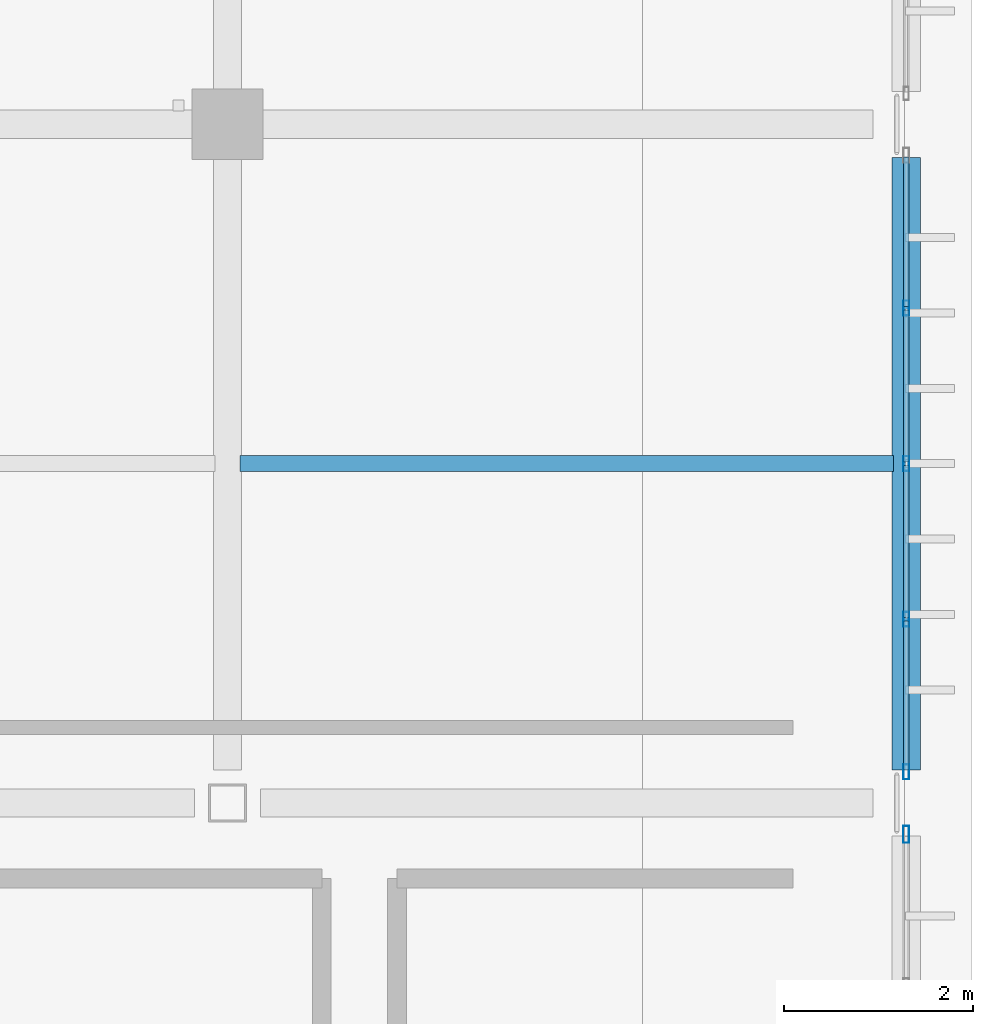
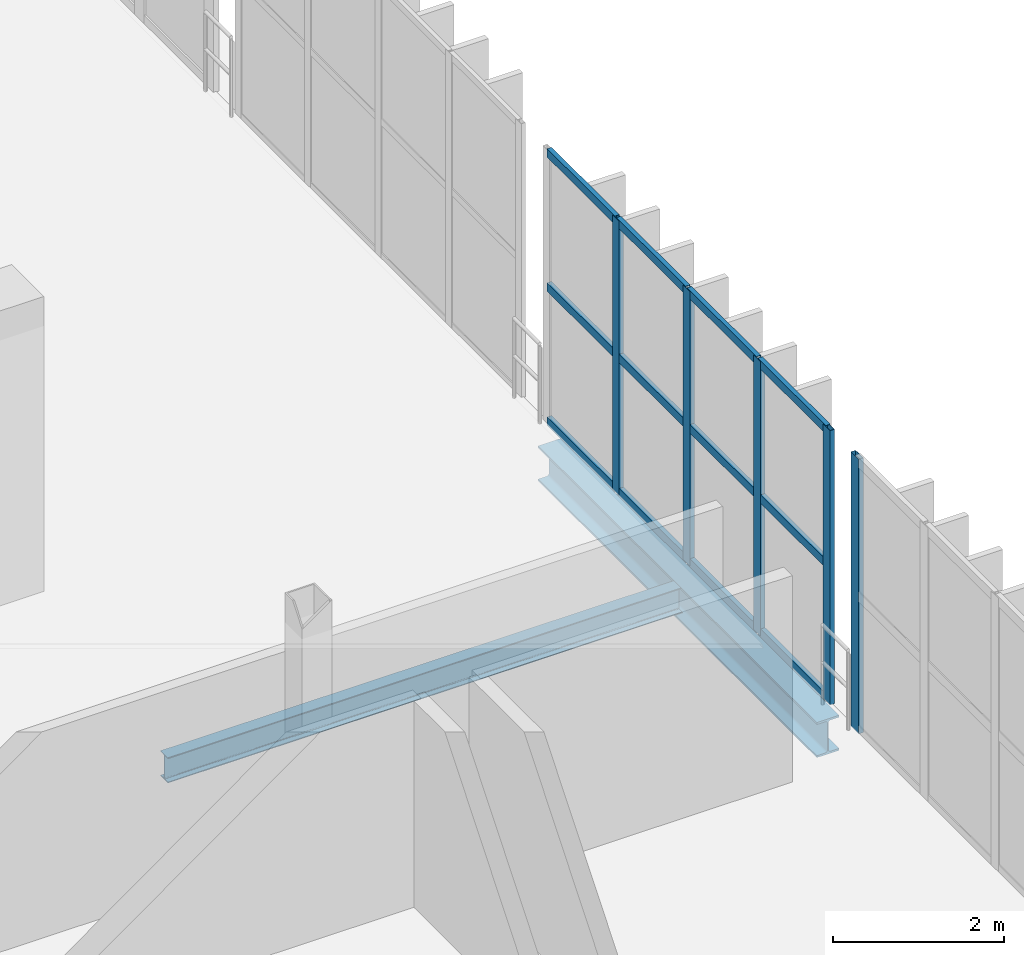
# One storey, part 74 of 130: 17 members, 2 beams, 2 elements without a shape of their own.
"""IFC4 building model written with IfcOpenShell, lengths in metres."""

from ifc_helpers import new_model, si_unit, direction, frame, origin, origin_2d, place, context, subcontext, project, spatial, hollow_rectangle, i_section, extrude, material, material_profile, profile_set, type_object, element, aggregate, save


model = new_model("IFC4")

# Units and contexts
model_context = context("Model", 3, precision=1e-05, world=origin(), true_north=direction((0.0, 1.0)))
body_context = subcontext(model_context, "Body", "Model", "MODEL_VIEW")
ifc_project = project(units=[si_unit("LENGTHUNIT", "METRE"), si_unit("AREAUNIT", "SQUARE_METRE"), si_unit("VOLUMEUNIT", "CUBIC_METRE"), si_unit("PLANEANGLEUNIT", "RADIAN"), si_unit("MASSUNIT", "GRAM", prefix="KILO")], contexts=[model_context])

# Site, building, storey
site_placement = place(None, origin())
site = spatial("IfcSite", under=ifc_project, at=site_placement, CompositionType="ELEMENT")
building_placement = place(site_placement, origin())
building = spatial("IfcBuilding", under=site, at=building_placement, Name="Qandorah Velis Arena", CompositionType="ELEMENT")
storey_placement = place(building_placement, frame((0.0, 0.0, 9.60009765625)))
storey = spatial("IfcBuildingStorey", under=building, at=storey_placement, Name="L02", CompositionType="ELEMENT", Elevation=9.60009765625)

# Curtain wall, members
ifc_material_1 = material(Name="Solar-control low-E double glazing", Category="glass")
curtain_wall_type_1 = type_object("IfcCurtainWallType", Name="ARC-CW-SYS03", PredefinedType="USERDEFINED", material=ifc_material_1)
curtain_wall_1_placement = place(storey_placement, origin())
curtain_wall_1 = element("IfcCurtainWall", 1, at=curtain_wall_1_placement, inside=storey, type_object=curtain_wall_type_1, Name="Unitised curtain wall L02-147", ObjectType="UNITISED CURTAIN WALL", PredefinedType="USERDEFINED")
ifc_material_2 = material(Name="Champagne-bronze anodized aluminium 6063-T6", Category="aluminium")
ifc_material_profile_1 = material_profile(ifc_material_2, hollow_rectangle(XDim=0.06005859375, YDim=0.159912109375, WallThickness=0.00341796875, at=origin_2d()), Name="ALU MULLION 60x160")
ifc_profile_set_1 = profile_set([ifc_material_profile_1], Name="Champagne-bronze anodized aluminium 6063-T6")
member_type_1 = type_object("IfcMemberType", Name="ARC-CWM-160", PredefinedType="MULLION", material=ifc_profile_set_1)
member_1_placement = place(storey_placement, frame((172.800048828125, 57.929931640625, -0.01513671875), z_axis=(0.0, 0.0, 1.0), x_axis=(-1.0, 0.0, 0.0)))
member_1 = element("IfcMember", 2, at=member_1_placement, type_object=member_type_1, Name="CW03 mullion 1", PredefinedType="MULLION", context=body_context, shape_type="SweptSolid", body=[
    extrude(hollow_rectangle(XDim=0.06005859375, YDim=0.159912109375, WallThickness=0.00341796875, at=origin_2d()), origin(), (0.0, 0.0, 1.0), 3.91015625),
])
member_2_placement = place(storey_placement, frame((172.800048828125, 59.550048828125, -0.01513671875), z_axis=(0.0, 0.0, 1.0), x_axis=(-1.0, 0.0, 0.0)))
member_2 = element("IfcMember", 3, at=member_2_placement, type_object=member_type_1, Name="CW03 mullion 2", PredefinedType="MULLION", context=body_context, shape_type="SweptSolid", body=[
    extrude(hollow_rectangle(XDim=0.06005859375, YDim=0.159912109375, WallThickness=0.00341796875, at=origin_2d()), origin(), (0.0, 0.0, 1.0), 3.91015625),
])
member_3_placement = place(storey_placement, frame((172.800048828125, 61.199951171875, -0.01513671875), z_axis=(0.0, 0.0, 1.0), x_axis=(-1.0, 0.0, 0.0)))
member_3 = element("IfcMember", 4, at=member_3_placement, type_object=member_type_1, Name="CW03 mullion 3", PredefinedType="MULLION", context=body_context, shape_type="SweptSolid", body=[
    extrude(hollow_rectangle(XDim=0.06005859375, YDim=0.159912109375, WallThickness=0.00341796875, at=origin_2d()), origin(), (0.0, 0.0, 1.0), 3.91015625),
])
member_4_placement = place(storey_placement, frame((172.800048828125, 62.85009765625, -0.01513671875), z_axis=(0.0, 0.0, 1.0), x_axis=(-1.0, 0.0, 0.0)))
member_4 = element("IfcMember", 5, at=member_4_placement, type_object=member_type_1, Name="CW03 mullion 4", PredefinedType="MULLION", context=body_context, shape_type="SweptSolid", body=[
    extrude(hollow_rectangle(XDim=0.06005859375, YDim=0.159912109375, WallThickness=0.00341796875, at=origin_2d()), origin(), (0.0, 0.0, 1.0), 3.91015625),
])

# Curtain wall, member
curtain_wall_type_2 = type_object("IfcCurtainWallType", Name="ARC-CW-SYS02", PredefinedType="USERDEFINED", material=ifc_material_1)
curtain_wall_2_placement = place(storey_placement, origin())
curtain_wall_2 = element("IfcCurtainWall", 6, at=curtain_wall_2_placement, inside=storey, type_object=curtain_wall_type_2, Name="Unitised curtain wall L02-146", ObjectType="UNITISED CURTAIN WALL", PredefinedType="USERDEFINED")
ifc_material_profile_2 = material_profile(ifc_material_2, hollow_rectangle(XDim=0.06494140625, YDim=0.179931640625, WallThickness=0.00341796875, at=origin_2d()), Name="ALU MULLION 65x180")
ifc_profile_set_2 = profile_set([ifc_material_profile_2], Name="Champagne-bronze anodized aluminium 6063-T6")
member_type_2 = type_object("IfcMemberType", Name="ARC-CWM-180", PredefinedType="MULLION", material=ifc_profile_set_2)
member_5_placement = place(storey_placement, frame((172.800048828125, 57.267578125, -0.01513671875), z_axis=(0.0, 0.0, 1.0), x_axis=(-1.0, 0.0, 0.0)))
member_5 = element("IfcMember", 7, at=member_5_placement, type_object=member_type_2, Name="CW02 mullion 5", PredefinedType="MULLION", context=body_context, shape_type="SweptSolid", body=[
    extrude(hollow_rectangle(XDim=0.06494140625, YDim=0.179931640625, WallThickness=0.00341796875, at=origin_2d()), origin(), (0.0, 0.0, 1.0), 3.91015625),
])
aggregate(curtain_wall_2, [member_5])

# Member
ifc_material_profile_3 = material_profile(ifc_material_2, hollow_rectangle(XDim=0.06005859375, YDim=0.1201171875, WallThickness=0.0029296875, at=origin_2d()), Name="ALU TRANSOM 60x120")
ifc_profile_set_3 = profile_set([ifc_material_profile_3], Name="Champagne-bronze anodized aluminium 6063-T6")
member_type_3 = type_object("IfcMemberType", Name="ARC-CWT-120", PredefinedType="USERDEFINED", material=ifc_profile_set_3)
member_6_placement = place(storey_placement, frame((172.800048828125, 57.947998046875, 0.02978515625), z_axis=(0.0, 1.0, 0.0), x_axis=(-1.0, 0.0, 0.0)))
member_6 = element("IfcMember", 8, at=member_6_placement, type_object=member_type_3, Name="CW03 transom 1.1", ObjectType="TRANSOM", PredefinedType="USERDEFINED", context=body_context, shape_type="SweptSolid", body=[
    extrude(hollow_rectangle(XDim=0.06005859375, YDim=0.1201171875, WallThickness=0.0029296875, at=origin_2d()), origin(), (0.0, 0.0, 1.0), 1.583984375),
])

member_7_placement = place(storey_placement, frame((172.800048828125, 57.947998046875, 1.93994140625), z_axis=(0.0, 1.0, 0.0), x_axis=(-1.0, 0.0, 0.0)))
member_7 = element("IfcMember", 9, at=member_7_placement, type_object=member_type_3, Name="CW03 transom 1.2", ObjectType="TRANSOM", PredefinedType="USERDEFINED", context=body_context, shape_type="SweptSolid", body=[
    extrude(hollow_rectangle(XDim=0.06005859375, YDim=0.1201171875, WallThickness=0.0029296875, at=origin_2d()), origin(), (0.0, 0.0, 1.0), 1.583984375),
])

member_8_placement = place(storey_placement, frame((172.800048828125, 57.947998046875, 3.849853515625), z_axis=(0.0, 1.0, 0.0), x_axis=(-1.0, 0.0, 0.0)))
member_8 = element("IfcMember", 10, at=member_8_placement, type_object=member_type_3, Name="CW03 transom 1.3", ObjectType="TRANSOM", PredefinedType="USERDEFINED", context=body_context, shape_type="SweptSolid", body=[
    extrude(hollow_rectangle(XDim=0.06005859375, YDim=0.1201171875, WallThickness=0.0029296875, at=origin_2d()), origin(), (0.0, 0.0, 1.0), 1.583984375),
])

member_9_placement = place(storey_placement, frame((172.800048828125, 59.568115234375, 0.02978515625), z_axis=(0.0, 1.0, 0.0), x_axis=(-1.0, 0.0, 0.0)))
member_9 = element("IfcMember", 11, at=member_9_placement, type_object=member_type_3, Name="CW03 transom 2.1", ObjectType="TRANSOM", PredefinedType="USERDEFINED", context=body_context, shape_type="SweptSolid", body=[
    extrude(hollow_rectangle(XDim=0.06005859375, YDim=0.1201171875, WallThickness=0.0029296875, at=origin_2d()), origin(), (0.0, 0.0, 1.0), 1.61376953125),
])

member_10_placement = place(storey_placement, frame((172.800048828125, 59.568115234375, 1.93994140625), z_axis=(0.0, 1.0, 0.0), x_axis=(-1.0, 0.0, 0.0)))
member_10 = element("IfcMember", 12, at=member_10_placement, type_object=member_type_3, Name="CW03 transom 2.2", ObjectType="TRANSOM", PredefinedType="USERDEFINED", context=body_context, shape_type="SweptSolid", body=[
    extrude(hollow_rectangle(XDim=0.06005859375, YDim=0.1201171875, WallThickness=0.0029296875, at=origin_2d()), origin(), (0.0, 0.0, 1.0), 1.61376953125),
])

member_11_placement = place(storey_placement, frame((172.800048828125, 59.568115234375, 3.849853515625), z_axis=(0.0, 1.0, 0.0), x_axis=(-1.0, 0.0, 0.0)))
member_11 = element("IfcMember", 13, at=member_11_placement, type_object=member_type_3, Name="CW03 transom 2.3", ObjectType="TRANSOM", PredefinedType="USERDEFINED", context=body_context, shape_type="SweptSolid", body=[
    extrude(hollow_rectangle(XDim=0.06005859375, YDim=0.1201171875, WallThickness=0.0029296875, at=origin_2d()), origin(), (0.0, 0.0, 1.0), 1.61376953125),
])

member_12_placement = place(storey_placement, frame((172.800048828125, 61.218017578125, 0.02978515625), z_axis=(0.0, 1.0, 0.0), x_axis=(-1.0, 0.0, 0.0)))
member_12 = element("IfcMember", 14, at=member_12_placement, type_object=member_type_3, Name="CW03 transom 3.1", ObjectType="TRANSOM", PredefinedType="USERDEFINED", context=body_context, shape_type="SweptSolid", body=[
    extrude(hollow_rectangle(XDim=0.06005859375, YDim=0.1201171875, WallThickness=0.0029296875, at=origin_2d()), origin(), (0.0, 0.0, 1.0), 1.614013671875),
])

member_13_placement = place(storey_placement, frame((172.800048828125, 61.218017578125, 1.93994140625), z_axis=(0.0, 1.0, 0.0), x_axis=(-1.0, 0.0, 0.0)))
member_13 = element("IfcMember", 15, at=member_13_placement, type_object=member_type_3, Name="CW03 transom 3.2", ObjectType="TRANSOM", PredefinedType="USERDEFINED", context=body_context, shape_type="SweptSolid", body=[
    extrude(hollow_rectangle(XDim=0.06005859375, YDim=0.1201171875, WallThickness=0.0029296875, at=origin_2d()), origin(), (0.0, 0.0, 1.0), 1.614013671875),
])

member_14_placement = place(storey_placement, frame((172.800048828125, 61.218017578125, 3.849853515625), z_axis=(0.0, 1.0, 0.0), x_axis=(-1.0, 0.0, 0.0)))
member_14 = element("IfcMember", 16, at=member_14_placement, type_object=member_type_3, Name="CW03 transom 3.3", ObjectType="TRANSOM", PredefinedType="USERDEFINED", context=body_context, shape_type="SweptSolid", body=[
    extrude(hollow_rectangle(XDim=0.06005859375, YDim=0.1201171875, WallThickness=0.0029296875, at=origin_2d()), origin(), (0.0, 0.0, 1.0), 1.614013671875),
])

member_15_placement = place(storey_placement, frame((172.800048828125, 62.867919921875, 0.02978515625), z_axis=(0.0, 1.0, 0.0), x_axis=(-1.0, 0.0, 0.0)))
member_15 = element("IfcMember", 17, at=member_15_placement, type_object=member_type_3, Name="CW03 transom 4.1", ObjectType="TRANSOM", PredefinedType="USERDEFINED", context=body_context, shape_type="SweptSolid", body=[
    extrude(hollow_rectangle(XDim=0.06005859375, YDim=0.1201171875, WallThickness=0.0029296875, at=origin_2d()), origin(), (0.0, 0.0, 1.0), 1.583984375),
])

member_16_placement = place(storey_placement, frame((172.800048828125, 62.867919921875, 1.93994140625), z_axis=(0.0, 1.0, 0.0), x_axis=(-1.0, 0.0, 0.0)))
member_16 = element("IfcMember", 18, at=member_16_placement, type_object=member_type_3, Name="CW03 transom 4.2", ObjectType="TRANSOM", PredefinedType="USERDEFINED", context=body_context, shape_type="SweptSolid", body=[
    extrude(hollow_rectangle(XDim=0.06005859375, YDim=0.1201171875, WallThickness=0.0029296875, at=origin_2d()), origin(), (0.0, 0.0, 1.0), 1.583984375),
])

member_17_placement = place(storey_placement, frame((172.800048828125, 62.867919921875, 3.849853515625), z_axis=(0.0, 1.0, 0.0), x_axis=(-1.0, 0.0, 0.0)))
member_17 = element("IfcMember", 19, at=member_17_placement, type_object=member_type_3, Name="CW03 transom 4.3", ObjectType="TRANSOM", PredefinedType="USERDEFINED", context=body_context, shape_type="SweptSolid", body=[
    extrude(hollow_rectangle(XDim=0.06005859375, YDim=0.1201171875, WallThickness=0.0029296875, at=origin_2d()), origin(), (0.0, 0.0, 1.0), 1.583984375),
])

aggregate(curtain_wall_1, [member_1, member_2, member_3, member_4, member_6, member_7, member_8, member_9, member_10, member_11, member_12, member_13, member_14, member_15, member_16, member_17])

# Beams
ifc_material_3 = material(Name="Steel S355", Category="steel")
ifc_material_profile_4 = material_profile(ifc_material_3, i_section(OverallWidth=0.300048828125, OverallDepth=0.5, WebThickness=0.014404296875, FlangeThickness=0.028076171875, FilletRadius=0.027099609375, at=origin_2d()), Name="HEB 500")
ifc_profile_set_4 = profile_set([ifc_material_profile_4], Name="Steel S355")
beam_type_1 = type_object("IfcBeamType", Name="STR-BM-HEB500", PredefinedType="BEAM", material=ifc_profile_set_4)
beam_1_placement = place(storey_placement, frame((172.800048828125, 57.949951171875, -0.530029296875), z_axis=(0.0, 1.0, 0.0), x_axis=(-1.0, 0.0, 0.0)))
element("IfcBeam", 20, at=beam_1_placement, inside=storey, type_object=beam_type_1, Name="Primary floor girder L02 Y-347", PredefinedType="BEAM", context=body_context, shape_type="SweptSolid", body=[
    extrude(i_section(OverallWidth=0.300048828125, OverallDepth=0.5, WebThickness=0.014404296875, FlangeThickness=0.028076171875, FilletRadius=0.027099609375, at=origin_2d()), origin(), (0.0, 0.0, 1.0), 6.5),
])
ifc_material_profile_5 = material_profile(ifc_material_3, i_section(OverallWidth=0.169921875, OverallDepth=0.360107421875, WebThickness=0.008056640625, FlangeThickness=0.0126953125, FilletRadius=0.01806640625, at=origin_2d()), Name="IPE 360")
ifc_profile_set_5 = profile_set([ifc_material_profile_5], Name="Steel S355")
beam_type_2 = type_object("IfcBeamType", Name="STR-JST-IPE360", PredefinedType="JOIST", material=ifc_profile_set_5)
beam_2_placement = place(storey_placement, frame((165.735107421875, 61.199951171875, -0.460205078125), z_axis=(1.0, 0.0, 0.0), x_axis=(0.0, 1.0, 0.0)))
element("IfcBeam", 21, at=beam_2_placement, inside=storey, type_object=beam_type_2, Name="Secondary floor joist L02-104", PredefinedType="JOIST", context=body_context, shape_type="SweptSolid", body=[
    extrude(i_section(OverallWidth=0.169921875, OverallDepth=0.360107421875, WebThickness=0.008056640625, FlangeThickness=0.0126953125, FilletRadius=0.01806640625, at=origin_2d()), origin(), (0.0, 0.0, 1.0), 6.929931640625),
])

save(model, "model.ifc")
